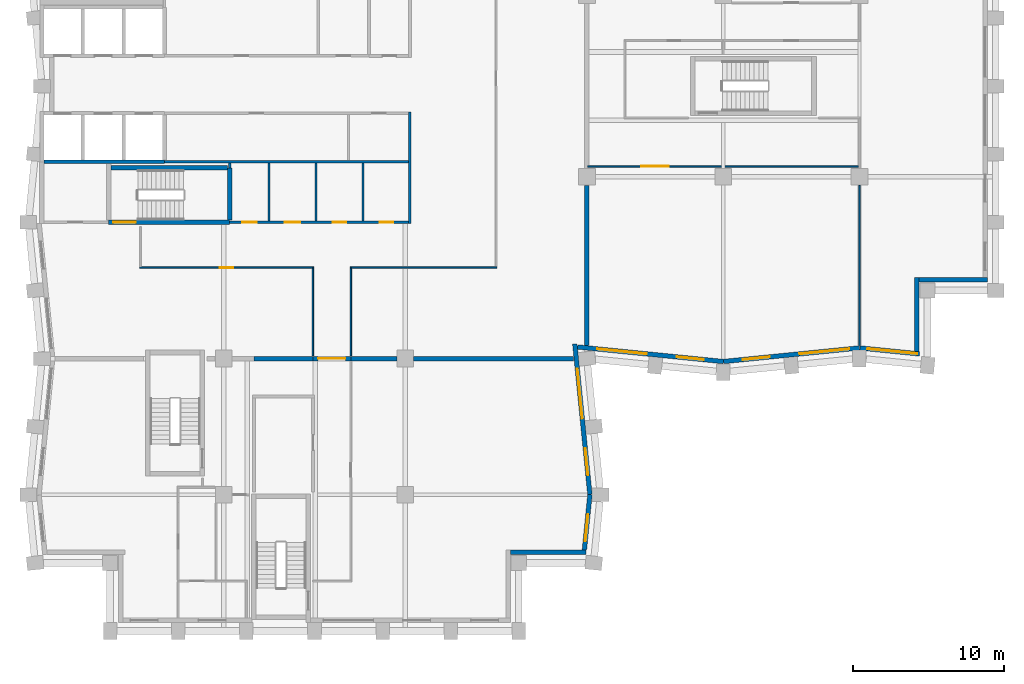
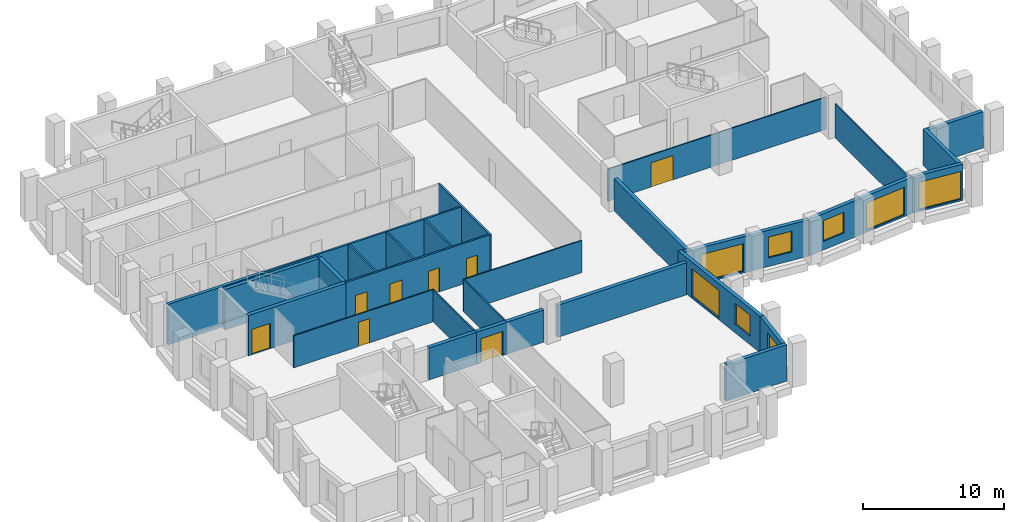
# One storey, part 4 of 10: 30 walls, 8 doors, 8 windows, 16 openings.
"""IFC4 building model written with IfcOpenShell, lengths in metres."""

from ifc_helpers import new_model, si_unit, direction, frame, frame_2d, origin, place, context, subcontext, project, spatial, rectangle, extrude, material, layer, layer_set, type_object, element, fill, save


model = new_model("IFC4")

# Units and contexts
model_context = context("Model", 3, precision=1e-05, world=origin(), true_north=direction((0.0, 1.0)))
body_context = subcontext(model_context, "Body", "Model", "MODEL_VIEW")
ifc_project = project(units=[si_unit("LENGTHUNIT", "METRE"), si_unit("AREAUNIT", "SQUARE_METRE"), si_unit("VOLUMEUNIT", "CUBIC_METRE"), si_unit("PLANEANGLEUNIT", "RADIAN"), si_unit("MASSUNIT", "GRAM", prefix="KILO")], contexts=[model_context])

# Site, building, storey
site_placement = place(None, origin())
site = spatial("IfcSite", under=ifc_project, at=site_placement, CompositionType="ELEMENT")
building_placement = place(site_placement, origin())
building = spatial("IfcBuilding", under=site, at=building_placement, Name="Brondeck Convention Tower", CompositionType="ELEMENT")
storey_placement = place(building_placement, frame((0.0, 0.0, 181.39990234375)))
storey = spatial("IfcBuildingStorey", under=building, at=storey_placement, Name="L44", CompositionType="ELEMENT", Elevation=181.39990234375)

# Wall
ifc_material_1 = material(Name="Concrete compartment wall C30/37", Category="concrete")
ifc_layer_1 = layer(ifc_material_1, 0.300048828125)
ifc_layer_set_1 = layer_set([ifc_layer_1], Name="Compartment wall 300")
wall_type_1 = type_object("IfcWallType", Name="Compartment wall 300", PredefinedType="PARTITIONING", material=ifc_layer_set_1)
wall_1_placement = place(storey_placement, frame((14.0, 27.0, 0.0), z_axis=(0.0, 0.0, 1.0), x_axis=(1.0, 0.0, 0.0)))
element("IfcWall", 1, at=wall_1_placement, inside=storey, type_object=wall_type_1, Name="FLR-L44-W020", PredefinedType="PARTITIONING", context=body_context, shape_type="SweptSolid", body=[
    extrude(rectangle(XDim=3.89990234375, YDim=0.300048828125, at=frame_2d((1.949951171875, 0.0))), origin(), (0.0, 0.0, 1.0), 2.780029296875),
])

# Wall, opening, door
wall_2_placement = place(storey_placement, frame((20.39990234375, 27.0, 0.0), z_axis=(0.0, 0.0, 1.0), x_axis=(-1.0, 0.0, 0.0)))
wall_2 = element("IfcWall", 2, at=wall_2_placement, inside=storey, type_object=wall_type_1, Name="FLR-L44-W021", PredefinedType="PARTITIONING", context=body_context, shape_type="SweptSolid", body=[
    extrude(rectangle(XDim=2.5, YDim=0.300048828125, at=frame_2d((1.25, 0.0))), origin(), (0.0, 0.0, 1.0), 2.780029296875),
])
opening_1_placement = place(wall_2_placement, frame((0.35009765625, 0.0, 0.0)))
opening_1 = element("IfcOpeningElement", 3, at=opening_1_placement, cuts=wall_2, Name="Opening OF-I-013", PredefinedType="OPENING", context=body_context, shape_type="SweptSolid", body=[
    extrude(rectangle(XDim=1.800048828125, YDim=2.10009765625, at=frame_2d((0.89990234375, 1.050048828125))), frame((0.0, 0.159912109375, 0.0), z_axis=(0.0, -1.0, 0.0), x_axis=(1.0, 0.0, 0.0)), (0.0, 0.0, 1.0), 0.320068359375),
])
ifc_material_2 = material(Name="Steel fire door pair", Category="steel")
door_type_1 = type_object("IfcDoorType", Name="Fire door pair 1800", OperationType="DOUBLE_DOOR_SINGLE_SWING", PredefinedType="DOOR", material=ifc_material_2)
door_1_placement = place(opening_1_placement, origin())
door_1 = element("IfcDoor", 4, at=door_1_placement, inside=storey, type_object=door_type_1, Name="Door OF-I-013", OperationType="DOUBLE_DOOR_SINGLE_SWING", OverallHeight=2.10009765625, OverallWidth=1.800048828125, PredefinedType="DOOR", context=body_context, shape_type="SweptSolid", body=[
    extrude(rectangle(XDim=1.800048828125, YDim=2.10009765625, at=frame_2d((0.89990234375, 1.050048828125))), frame((0.0, 0.02490234375, 0.0), z_axis=(0.0, -1.0, 0.0), x_axis=(1.0, 0.0, 0.0)), (0.0, 0.0, 1.0), 0.050048828125),
])
fill(opening_1, door_1)

# Walls
wall_3_placement = place(storey_placement, frame((20.39990234375, 27.0, 0.0), z_axis=(0.0, 0.0, 1.0), x_axis=(1.0, 0.0, 0.0)))
element("IfcWall", 5, at=wall_3_placement, inside=storey, type_object=wall_type_1, Name="FLR-L44-W022", PredefinedType="PARTITIONING", context=body_context, shape_type="SweptSolid", body=[
    extrude(rectangle(XDim=3.045166015625, YDim=0.300048828125, at=frame_2d((1.5224609375, 0.0))), origin(), (0.0, 0.0, 1.0), 2.780029296875),
])
for number, where, z_axis, x_axis, name in (
    (6, (24.554931640625, 27.0, 0.0), (0.0, 0.0, 1.0), (1.0, 0.0, 0.0), "FLR-L44-W023"),
    (7, (36.0, 27.874267578125, 0.0), (0.0, 0.0, 1.0), (0.0, 1.0, 0.0), "FLR-L44-W026"),
):
    element("IfcWall", number, at=place(storey_placement, frame(where, z_axis=z_axis, x_axis=x_axis)), inside=storey, type_object=wall_type_1, Name=name, PredefinedType="PARTITIONING", context=body_context, shape_type="SweptSolid", body=[
        extrude(rectangle(XDim=10.57080078125, YDim=0.300048828125, at=frame_2d((5.285400390625, 0.0))), origin(), (0.0, 0.0, 1.0), 2.780029296875),
    ])

# Wall, openings, doors
ifc_material_3 = material(Name="Concrete C70/85", Category="concrete")
ifc_layer_2 = layer(ifc_material_3, 0.14990234375)
ifc_layer_set_2 = layer_set([ifc_layer_2], Name="Core beam-seat wall 150 Concrete C70/85")
wall_type_2 = type_object("IfcWallType", Name="Core beam-seat wall 150 Concrete C70/85", PredefinedType="SHEAR", material=ifc_layer_set_2)
wall_4_placement = place(storey_placement, frame((12.39990234375, 36.0, 0.0), z_axis=(0.0, 0.0, 1.0), x_axis=(1.0, 0.0, 0.0)))
wall_4 = element("IfcWall", 8, at=wall_4_placement, inside=storey, type_object=wall_type_2, Name="L44 core wall", PredefinedType="SHEAR", context=body_context, shape_type="SweptSolid", body=[
    extrude(rectangle(XDim=11.8251953125, YDim=0.14990234375, at=frame_2d((5.91259765625, 0.0))), origin(), (0.0, 0.0, 1.0), 3.5),
])
opening_2_placement = place(wall_4_placement, frame((0.824951171875, 0.0, 0.0)))
opening_2 = element("IfcOpeningElement", 9, at=opening_2_placement, cuts=wall_4, Name="Opening C24-03", PredefinedType="OPENING", context=body_context, shape_type="SweptSolid", body=[
    extrude(rectangle(XDim=0.949951171875, YDim=2.10009765625, at=frame_2d((0.47509765625, 1.050048828125))), frame((0.0, 0.0849609375, 0.0), z_axis=(0.0, -1.0, 0.0), x_axis=(1.0, 0.0, 0.0)), (0.0, 0.0, 1.0), 0.169921875),
])
opening_3_placement = place(wall_4_placement, frame((3.64990234375, 0.0, 0.0)))
opening_3 = element("IfcOpeningElement", 10, at=opening_3_placement, cuts=wall_4, Name="Opening C24-04", PredefinedType="OPENING", context=body_context, shape_type="SweptSolid", body=[
    extrude(rectangle(XDim=1.0, YDim=2.10009765625, at=frame_2d((0.5, 1.050048828125))), frame((0.0, 0.0849609375, 0.0), z_axis=(0.0, -1.0, 0.0), x_axis=(1.0, 0.0, 0.0)), (0.0, 0.0, 1.0), 0.169921875),
])
opening_4_placement = place(wall_4_placement, frame((6.800048828125, 0.0, 0.0)))
opening_4 = element("IfcOpeningElement", 11, at=opening_4_placement, cuts=wall_4, Name="Opening C24-05", PredefinedType="OPENING", context=body_context, shape_type="SweptSolid", body=[
    extrude(rectangle(XDim=0.89990234375, YDim=2.10009765625, at=frame_2d((0.449951171875, 1.050048828125))), frame((0.0, 0.0849609375, 0.0), z_axis=(0.0, -1.0, 0.0), x_axis=(1.0, 0.0, 0.0)), (0.0, 0.0, 1.0), 0.169921875),
])
opening_5_placement = place(wall_4_placement, frame((9.89990234375, 0.0, 0.0)))
opening_5 = element("IfcOpeningElement", 12, at=opening_5_placement, cuts=wall_4, Name="Opening C24-06", PredefinedType="OPENING", context=body_context, shape_type="SweptSolid", body=[
    extrude(rectangle(XDim=0.89990234375, YDim=2.10009765625, at=frame_2d((0.449951171875, 1.050048828125))), frame((0.0, 0.0849609375, 0.0), z_axis=(0.0, -1.0, 0.0), x_axis=(1.0, 0.0, 0.0)), (0.0, 0.0, 1.0), 0.169921875),
])
ifc_material_4 = material(Name="Steel fire door", Category="steel")
door_type_2 = type_object("IfcDoorType", Name="Room door 1000x2100 EI 60", OperationType="NOTDEFINED", PredefinedType="DOOR", material=ifc_material_4)
door_2_placement = place(opening_3_placement, origin())
door_2 = element("IfcDoor", 13, at=door_2_placement, inside=storey, type_object=door_type_2, Name="L44 Room door FR-2", OperationType="SINGLE_SWING_LEFT", OverallHeight=2.10009765625, OverallWidth=1.0, PredefinedType="DOOR", context=body_context, shape_type="SweptSolid", body=[
    extrude(rectangle(XDim=1.0, YDim=2.10009765625, at=frame_2d((0.5, 1.050048828125))), frame((0.0, 0.02490234375, 0.0), z_axis=(0.0, -1.0, 0.0), x_axis=(1.0, 0.0, 0.0)), (0.0, 0.0, 1.0), 0.050048828125),
])
fill(opening_3, door_2)
door_type_3 = type_object("IfcDoorType", Name="Room door 900x2100 EI 60", OperationType="NOTDEFINED", PredefinedType="DOOR", material=ifc_material_4)
door_3_placement = place(opening_4_placement, origin())
door_3 = element("IfcDoor", 14, at=door_3_placement, inside=storey, type_object=door_type_3, Name="L44 Room door FR-3", OperationType="SINGLE_SWING_RIGHT", OverallHeight=2.10009765625, OverallWidth=0.89990234375, PredefinedType="DOOR", context=body_context, shape_type="SweptSolid", body=[
    extrude(rectangle(XDim=0.89990234375, YDim=2.10009765625, at=frame_2d((0.449951171875, 1.050048828125))), frame((0.0, 0.02490234375, 0.0), z_axis=(0.0, -1.0, 0.0), x_axis=(1.0, 0.0, 0.0)), (0.0, 0.0, 1.0), 0.050048828125),
])
fill(opening_4, door_3)
door_4_placement = place(opening_5_placement, origin())
door_4 = element("IfcDoor", 15, at=door_4_placement, inside=storey, type_object=door_type_3, Name="L44 Room door FR-4", OperationType="SINGLE_SWING_LEFT", OverallHeight=2.10009765625, OverallWidth=0.89990234375, PredefinedType="DOOR", context=body_context, shape_type="SweptSolid", body=[
    extrude(rectangle(XDim=0.89990234375, YDim=2.10009765625, at=frame_2d((0.449951171875, 1.050048828125))), frame((0.0, 0.02490234375, 0.0), z_axis=(0.0, -1.0, 0.0), x_axis=(1.0, 0.0, 0.0)), (0.0, 0.0, 1.0), 0.050048828125),
])
fill(opening_5, door_4)
door_type_4 = type_object("IfcDoorType", Name="Room door 950x2100 EI 60", OperationType="NOTDEFINED", PredefinedType="DOOR", material=ifc_material_4)
door_5_placement = place(opening_2_placement, origin())
door_5 = element("IfcDoor", 16, at=door_5_placement, inside=storey, type_object=door_type_4, Name="L44 Room door FR-1", OperationType="SINGLE_SWING_RIGHT", OverallHeight=2.10009765625, OverallWidth=0.949951171875, PredefinedType="DOOR", context=body_context, shape_type="SweptSolid", body=[
    extrude(rectangle(XDim=0.949951171875, YDim=2.10009765625, at=frame_2d((0.47509765625, 1.050048828125))), frame((0.0, 0.02490234375, 0.0), z_axis=(0.0, -1.0, 0.0), x_axis=(1.0, 0.0, 0.0)), (0.0, 0.0, 1.0), 0.050048828125),
])
fill(opening_2, door_5)

# Walls
ifc_material_5 = material(Name="Fire-rated gypsum board partition")
ifc_layer_3 = layer(ifc_material_5, 0.14990234375)
ifc_layer_set_3 = layer_set([ifc_layer_3], Name="Core partition 150 EI 60")
wall_type_3 = type_object("IfcWallType", Name="Core partition 150 EI 60", PredefinedType="PARTITIONING", material=ifc_layer_set_3)
wall_5_placement = place(storey_placement, frame((8.10009765625, 40.0, 0.0), z_axis=(0.0, 0.0, 1.0), x_axis=(1.0, 0.0, 0.0)))
element("IfcWall", 17, at=wall_5_placement, inside=storey, type_object=wall_type_3, Name="L44 core wall", PredefinedType="PARTITIONING", context=body_context, shape_type="SweptSolid", body=[
    extrude(rectangle(XDim=16.125, YDim=0.14990234375, at=frame_2d((8.0625, 0.0))), origin(), (0.0, 0.0, 1.0), 3.5),
])
wall_6_placement = place(storey_placement, frame((12.39990234375, 39.60009765625, 0.0), z_axis=(0.0, 0.0, 1.0), x_axis=(0.0, 1.0, 0.0)))
element("IfcWall", 18, at=wall_6_placement, inside=storey, type_object=wall_type_3, Name="L44 core wall", PredefinedType="PARTITIONING", context=body_context, shape_type="SweptSolid", body=[
    extrude(rectangle(XDim=0.324951171875, YDim=0.14990234375, at=frame_2d((0.16259765625, 0.0))), origin(), (0.0, 0.0, 1.0), 3.5),
])
for number, where, z_axis, x_axis, name in (
    (19, (15.0, 36.074951171875, 0.0), (0.0, 0.0, 1.0), (0.0, 1.0, 0.0), "L44 core wall"),
    (20, (18.10009765625, 36.074951171875, 0.0), (0.0, 0.0, 1.0), (0.0, 1.0, 0.0), "L44 core wall"),
    (21, (21.199951171875, 36.074951171875, 0.0), (0.0, 0.0, 1.0), (0.0, 1.0, 0.0), "L44 core wall"),
):
    element("IfcWall", number, at=place(storey_placement, frame(where, z_axis=z_axis, x_axis=x_axis)), inside=storey, type_object=wall_type_3, Name=name, PredefinedType="PARTITIONING", context=body_context, shape_type="SweptSolid", body=[
        extrude(rectangle(XDim=3.85009765625, YDim=0.14990234375, at=frame_2d((1.925048828125, 0.0))), origin(), (0.0, 0.0, 1.0), 3.5),
    ])
wall_7_placement = place(storey_placement, frame((24.300048828125, 35.925048828125, 0.0), z_axis=(0.0, 0.0, 1.0), x_axis=(0.0, 1.0, 0.0)))
element("IfcWall", 22, at=wall_7_placement, inside=storey, type_object=wall_type_3, Name="L44 core wall", PredefinedType="PARTITIONING", context=body_context, shape_type="SweptSolid", body=[
    extrude(rectangle(XDim=7.349853515625, YDim=0.14990234375, at=frame_2d((3.6748046875, 0.0))), origin(), (0.0, 0.0, 1.0), 3.5),
])
ifc_material_6 = material(Name="Precast concrete C50/60 bronze finish", Category="concrete")
ifc_layer_4 = layer(ifc_material_6, 0.070068359375, Name="Bronze precast facing")
ifc_material_7 = material(Name="Mineral wool")
ifc_layer_5 = layer(ifc_material_7, 0.159912109375, Name="Insulation")
ifc_material_8 = material(Name="Concrete C35/45", Category="concrete")
ifc_layer_6 = layer(ifc_material_8, 0.070068359375, Name="Backing")
ifc_layer_set_4 = layer_set([ifc_layer_4, ifc_layer_5, ifc_layer_6], Name="External infill wall, precast concrete C50/60 bronze facing")
wall_type_4 = type_object("IfcWallType", Name="External infill wall, precast concrete C50/60 bronze facing", PredefinedType="SOLIDWALL", material=ifc_layer_set_4)
wall_8_placement = place(storey_placement, frame((35.952392578125, 14.199951171875, 0.0), z_axis=(0.0, 0.0, 1.0), x_axis=(-1.0, 0.0, 0.0)))
element("IfcWall", 23, at=wall_8_placement, inside=storey, type_object=wall_type_4, Name="ENV-EW-L44-P1-NC-SEB9-02", PredefinedType="SOLIDWALL", context=body_context, shape_type="SweptSolid", body=[
    extrude(rectangle(XDim=5.00244140625, YDim=0.300048828125, at=frame_2d((2.501220703125, 0.0))), origin(), (0.0, 0.0, 1.0), 3.150146484375),
])

# Wall, opening, window
wall_9_placement = place(storey_placement, frame((36.197998046875, 18.014892578125, 0.0), z_axis=(0.0, 0.0, 1.0), x_axis=(-0.099529980022, -0.99503456376, 0.0)))
wall_9 = element("IfcWall", 24, at=wall_9_placement, inside=storey, type_object=wall_type_4, Name="ENV-EW-L44-P1-B-E-02", PredefinedType="SOLIDWALL", context=body_context, shape_type="SweptSolid", body=[
    extrude(rectangle(XDim=3.681884765625, YDim=0.300048828125, at=frame_2d((1.8408203125, 0.0))), origin(), (0.0, 0.0, 1.0), 3.150146484375),
])
opening_6_placement = place(wall_9_placement, frame((1.30615234375, 0.0, 0.75)))
opening_6 = element("IfcOpeningElement", 25, at=opening_6_placement, cuts=wall_9, Name="Opening W10", PredefinedType="OPENING", context=body_context, shape_type="SweptSolid", body=[
    extrude(rectangle(XDim=1.800048828125, YDim=1.800048828125, at=frame_2d((0.89990234375, 0.89990234375))), frame((0.0, 0.159912109375, 0.0), z_axis=(0.0, -1.0, 0.0), x_axis=(1.0, 0.0, 0.0)), (0.0, 0.0, 1.0), 0.320068359375),
])
ifc_material_9 = material(Name="Bronze tinted double glazing", Category="glass")
window_type_1 = type_object("IfcWindowType", Name="Punched window, bronze tinted", PartitioningType="SINGLE_PANEL", PredefinedType="WINDOW", material=ifc_material_9)
window_1_placement = place(opening_6_placement, origin())
window_1 = element("IfcWindow", 26, at=window_1_placement, inside=storey, type_object=window_type_1, Name="ENV-WN-L44-P1-B-E-02", OverallHeight=1.800048828125, OverallWidth=1.800048828125, PartitioningType="SINGLE_PANEL", PredefinedType="WINDOW", context=body_context, shape_type="SweptSolid", body=[
    extrude(rectangle(XDim=1.800048828125, YDim=1.800048828125, at=frame_2d((0.89990234375, 0.89990234375))), frame((0.0, 0.030029296875, 0.0), z_axis=(0.0, -1.0, 0.0), x_axis=(1.0, 0.0, 0.0)), (0.0, 0.0, 1.0), 0.06005859375),
])
fill(opening_6, window_1)

# Wall, openings, windows
wall_10_placement = place(storey_placement, frame((35.2001953125, 27.964111328125, 0.0), z_axis=(0.0, 0.0, 1.0), x_axis=(0.099501297882, -0.995037432321, 0.0)))
wall_10 = element("IfcWall", 27, at=wall_10_placement, inside=storey, type_object=wall_type_4, Name="ENV-EW-L44-P1-B-E-01", PredefinedType="SOLIDWALL", context=body_context, shape_type="SweptSolid", body=[
    extrude(rectangle(XDim=9.98388671875, YDim=0.300048828125, at=frame_2d((4.991943359375, 0.0))), origin(), (0.0, 0.0, 1.0), 3.150146484375),
])
opening_7_placement = place(wall_10_placement, frame((1.650146484375, 0.0, 0.14990234375)))
opening_7 = element("IfcOpeningElement", 28, at=opening_7_placement, cuts=wall_10, Name="Opening W9", PredefinedType="OPENING", context=body_context, shape_type="SweptSolid", body=[
    extrude(rectangle(XDim=3.300048828125, YDim=2.39990234375, at=frame_2d((1.64990234375, 1.199951171875))), frame((0.0, 0.159912109375, 0.0), z_axis=(0.0, -1.0, 0.0), x_axis=(1.0, 0.0, 0.0)), (0.0, 0.0, 1.0), 0.320068359375),
])
opening_8_placement = place(wall_10_placement, frame((6.922607421875, 0.0, 0.75)))
opening_8 = element("IfcOpeningElement", 29, at=opening_8_placement, cuts=wall_10, Name="Opening W10", PredefinedType="OPENING", context=body_context, shape_type="SweptSolid", body=[
    extrude(rectangle(XDim=1.800048828125, YDim=1.800048828125, at=frame_2d((0.89990234375, 0.89990234375))), frame((0.0, 0.159912109375, 0.0), z_axis=(0.0, -1.0, 0.0), x_axis=(1.0, 0.0, 0.0)), (0.0, 0.0, 1.0), 0.320068359375),
])
window_type_2 = type_object("IfcWindowType", Name="Glazed flute window, bronze tinted", PartitioningType="SINGLE_PANEL", PredefinedType="WINDOW", material=ifc_material_9)
window_2_placement = place(opening_7_placement, origin())
window_2 = element("IfcWindow", 30, at=window_2_placement, inside=storey, type_object=window_type_2, Name="ENV-WN-L44-P1-B-E-00", OverallHeight=2.39990234375, OverallWidth=3.300048828125, PartitioningType="SINGLE_PANEL", PredefinedType="WINDOW", context=body_context, shape_type="SweptSolid", body=[
    extrude(rectangle(XDim=3.300048828125, YDim=2.39990234375, at=frame_2d((1.64990234375, 1.199951171875))), frame((0.0, 0.030029296875, 0.0), z_axis=(0.0, -1.0, 0.0), x_axis=(1.0, 0.0, 0.0)), (0.0, 0.0, 1.0), 0.06005859375),
])
fill(opening_7, window_2)
window_3_placement = place(opening_8_placement, origin())
window_3 = element("IfcWindow", 31, at=window_3_placement, inside=storey, type_object=window_type_1, Name="ENV-WN-L44-P1-B-E-01", OverallHeight=1.800048828125, OverallWidth=1.800048828125, PartitioningType="SINGLE_PANEL", PredefinedType="WINDOW", context=body_context, shape_type="SweptSolid", body=[
    extrude(rectangle(XDim=1.800048828125, YDim=1.800048828125, at=frame_2d((0.89990234375, 0.89990234375))), frame((0.0, 0.030029296875, 0.0), z_axis=(0.0, -1.0, 0.0), x_axis=(1.0, 0.0, 0.0)), (0.0, 0.0, 1.0), 0.06005859375),
])
fill(opening_8, window_3)

wall_11_placement = place(storey_placement, frame((45.014892578125, 26.802001953125, 0.0), z_axis=(0.0, 0.0, 1.0), x_axis=(-0.995037689759, 0.099498723402, 0.0)))
wall_11 = element("IfcWall", 32, at=wall_11_placement, inside=storey, type_object=wall_type_4, Name="ENV-EW-L44-P1-A-S-00", PredefinedType="SOLIDWALL", context=body_context, shape_type="SweptSolid", body=[
    extrude(rectangle(XDim=9.677490234375, YDim=0.300048828125, at=frame_2d((4.8388671875, 0.0))), origin(), (0.0, 0.0, 1.0), 3.150146484375),
])
opening_9_placement = place(wall_11_placement, frame((1.30615234375, 0.0, 0.75)))
opening_9 = element("IfcOpeningElement", 33, at=opening_9_placement, cuts=wall_11, Name="Opening W10", PredefinedType="OPENING", context=body_context, shape_type="SweptSolid", body=[
    extrude(rectangle(XDim=1.800048828125, YDim=1.800048828125, at=frame_2d((0.89990234375, 0.89990234375))), frame((0.0, 0.159912109375, 0.0), z_axis=(0.0, -1.0, 0.0), x_axis=(1.0, 0.0, 0.0)), (0.0, 0.0, 1.0), 0.320068359375),
])
opening_10_placement = place(wall_11_placement, frame((5.07861328125, 0.0, 0.14990234375)))
opening_10 = element("IfcOpeningElement", 34, at=opening_10_placement, cuts=wall_11, Name="Opening W9", PredefinedType="OPENING", context=body_context, shape_type="SweptSolid", body=[
    extrude(rectangle(XDim=3.300048828125, YDim=2.39990234375, at=frame_2d((1.64990234375, 1.199951171875))), frame((0.0, 0.159912109375, 0.0), z_axis=(0.0, -1.0, 0.0), x_axis=(1.0, 0.0, 0.0)), (0.0, 0.0, 1.0), 0.320068359375),
])
window_4_placement = place(opening_10_placement, origin())
window_4 = element("IfcWindow", 35, at=window_4_placement, inside=storey, type_object=window_type_2, Name="ENV-WN-L44-P1-A-S-00", OverallHeight=2.39990234375, OverallWidth=3.300048828125, PartitioningType="SINGLE_PANEL", PredefinedType="WINDOW", context=body_context, shape_type="SweptSolid", body=[
    extrude(rectangle(XDim=3.300048828125, YDim=2.39990234375, at=frame_2d((1.64990234375, 1.199951171875))), frame((0.0, 0.030029296875, 0.0), z_axis=(0.0, -1.0, 0.0), x_axis=(1.0, 0.0, 0.0)), (0.0, 0.0, 1.0), 0.06005859375),
])
fill(opening_10, window_4)
window_5_placement = place(opening_9_placement, origin())
window_5 = element("IfcWindow", 36, at=window_5_placement, inside=storey, type_object=window_type_1, Name="ENV-WN-L44-P1-A-S-01", OverallHeight=1.800048828125, OverallWidth=1.800048828125, PartitioningType="SINGLE_PANEL", PredefinedType="WINDOW", context=body_context, shape_type="SweptSolid", body=[
    extrude(rectangle(XDim=1.800048828125, YDim=1.800048828125, at=frame_2d((0.89990234375, 0.89990234375))), frame((0.0, 0.030029296875, 0.0), z_axis=(0.0, -1.0, 0.0), x_axis=(1.0, 0.0, 0.0)), (0.0, 0.0, 1.0), 0.06005859375),
])
fill(opening_9, window_5)

wall_12_placement = place(storey_placement, frame((54.014892578125, 27.705078125, 0.0), z_axis=(0.0, 0.0, 1.0), x_axis=(-0.995035316196, -0.099522457379, 0.0)))
wall_12 = element("IfcWall", 37, at=wall_12_placement, inside=storey, type_object=wall_type_4, Name="ENV-EW-L44-P1-A-S-02", PredefinedType="SOLIDWALL", context=body_context, shape_type="SweptSolid", body=[
    extrude(rectangle(XDim=9.030029296875, YDim=0.300048828125, at=frame_2d((4.51513671875, 0.0))), origin(), (0.0, 0.0, 1.0), 3.150146484375),
])
opening_11_placement = place(wall_12_placement, frame((0.6962890625, 0.0, 0.14990234375)))
opening_11 = element("IfcOpeningElement", 38, at=opening_11_placement, cuts=wall_12, Name="Opening W9", PredefinedType="OPENING", context=body_context, shape_type="SweptSolid", body=[
    extrude(rectangle(XDim=3.300048828125, YDim=2.39990234375, at=frame_2d((1.64990234375, 1.199951171875))), frame((0.0, 0.159912109375, 0.0), z_axis=(0.0, -1.0, 0.0), x_axis=(1.0, 0.0, 0.0)), (0.0, 0.0, 1.0), 0.320068359375),
])
opening_12_placement = place(wall_12_placement, frame((5.968505859375, 0.0, 0.75)))
opening_12 = element("IfcOpeningElement", 39, at=opening_12_placement, cuts=wall_12, Name="Opening W10", PredefinedType="OPENING", context=body_context, shape_type="SweptSolid", body=[
    extrude(rectangle(XDim=1.800048828125, YDim=1.800048828125, at=frame_2d((0.89990234375, 0.89990234375))), frame((0.0, 0.159912109375, 0.0), z_axis=(0.0, -1.0, 0.0), x_axis=(1.0, 0.0, 0.0)), (0.0, 0.0, 1.0), 0.320068359375),
])
window_6_placement = place(opening_11_placement, origin())
window_6 = element("IfcWindow", 40, at=window_6_placement, inside=storey, type_object=window_type_2, Name="ENV-WN-L44-P1-A-S-03", OverallHeight=2.39990234375, OverallWidth=3.300048828125, PartitioningType="SINGLE_PANEL", PredefinedType="WINDOW", context=body_context, shape_type="SweptSolid", body=[
    extrude(rectangle(XDim=3.300048828125, YDim=2.39990234375, at=frame_2d((1.64990234375, 1.199951171875))), frame((0.0, 0.030029296875, 0.0), z_axis=(0.0, -1.0, 0.0), x_axis=(1.0, 0.0, 0.0)), (0.0, 0.0, 1.0), 0.06005859375),
])
fill(opening_11, window_6)
window_7_placement = place(opening_12_placement, origin())
window_7 = element("IfcWindow", 41, at=window_7_placement, inside=storey, type_object=window_type_1, Name="ENV-WN-L44-P1-A-S-02", OverallHeight=1.800048828125, OverallWidth=1.800048828125, PartitioningType="SINGLE_PANEL", PredefinedType="WINDOW", context=body_context, shape_type="SweptSolid", body=[
    extrude(rectangle(XDim=1.800048828125, YDim=1.800048828125, at=frame_2d((0.89990234375, 0.89990234375))), frame((0.0, 0.030029296875, 0.0), z_axis=(0.0, -1.0, 0.0), x_axis=(1.0, 0.0, 0.0)), (0.0, 0.0, 1.0), 0.06005859375),
])
fill(opening_12, window_7)

# Wall, opening, window
wall_13_placement = place(storey_placement, frame((57.96484375, 27.306884765625, 0.0), z_axis=(0.0, 0.0, 1.0), x_axis=(-0.99503596767, 0.099515943658, 0.0)))
wall_13 = element("IfcWall", 42, at=wall_13_placement, inside=storey, type_object=wall_type_4, Name="ENV-EW-L44-P1-A-S-04", PredefinedType="SOLIDWALL", context=body_context, shape_type="SweptSolid", body=[
    extrude(rectangle(XDim=3.95458984375, YDim=0.300048828125, at=frame_2d((1.977294921875, 0.0))), origin(), (0.0, 0.0, 1.0), 3.150146484375),
])
opening_13_placement = place(wall_13_placement, frame((0.14990234375, 0.0, 0.14990234375)))
opening_13 = element("IfcOpeningElement", 43, at=opening_13_placement, cuts=wall_13, Name="Opening W9", PredefinedType="OPENING", context=body_context, shape_type="SweptSolid", body=[
    extrude(rectangle(XDim=3.300048828125, YDim=2.39990234375, at=frame_2d((1.64990234375, 1.199951171875))), frame((0.0, 0.159912109375, 0.0), z_axis=(0.0, -1.0, 0.0), x_axis=(1.0, 0.0, 0.0)), (0.0, 0.0, 1.0), 0.320068359375),
])
window_8_placement = place(opening_13_placement, origin())
window_8 = element("IfcWindow", 44, at=window_8_placement, inside=storey, type_object=window_type_2, Name="ENV-WN-L44-P1-A-S-04", OverallHeight=2.39990234375, OverallWidth=3.300048828125, PartitioningType="SINGLE_PANEL", PredefinedType="WINDOW", context=body_context, shape_type="SweptSolid", body=[
    extrude(rectangle(XDim=3.300048828125, YDim=2.39990234375, at=frame_2d((1.64990234375, 1.199951171875))), frame((0.0, 0.030029296875, 0.0), z_axis=(0.0, -1.0, 0.0), x_axis=(1.0, 0.0, 0.0)), (0.0, 0.0, 1.0), 0.06005859375),
])
fill(opening_13, window_8)

# Walls
wall_14_placement = place(storey_placement, frame((57.800048828125, 32.35009765625, 0.0), z_axis=(0.0, 0.0, 1.0), x_axis=(0.0, -1.0, 0.0)))
element("IfcWall", 45, at=wall_14_placement, inside=storey, type_object=wall_type_4, Name="ENV-EW-L44-P1-NC-SEA63-01", PredefinedType="SOLIDWALL", context=body_context, shape_type="SweptSolid", body=[
    extrude(rectangle(XDim=4.87060546875, YDim=0.300048828125, at=frame_2d((2.435302734375, 0.0))), origin(), (0.0, 0.0, 1.0), 3.150146484375),
])
wall_15_placement = place(storey_placement, frame((62.449951171875, 32.199951171875, 0.0), z_axis=(0.0, 0.0, 1.0), x_axis=(-1.0, 0.0, 0.0)))
element("IfcWall", 46, at=wall_15_placement, inside=storey, type_object=wall_type_4, Name="ENV-EW-L44-P1-NC-SEA63-02", PredefinedType="SOLIDWALL", context=body_context, shape_type="SweptSolid", body=[
    extrude(rectangle(XDim=4.501953125, YDim=0.300048828125, at=frame_2d((2.2509765625, 0.0))), origin(), (0.0, 0.0, 1.0), 3.150146484375),
])
ifc_layer_7 = layer(ifc_material_3, 0.25)
ifc_layer_set_5 = layer_set([ifc_layer_7], Name="Lift shaft wall 250 Concrete C70/85")
wall_type_5 = type_object("IfcWallType", Name="Lift shaft wall 250 Concrete C70/85", PredefinedType="SHEAR", material=ifc_layer_set_5)
wall_16_placement = place(storey_placement, frame((0.14990234375, 40.0, 0.0), z_axis=(0.0, 0.0, 1.0), x_axis=(1.0, 0.0, 0.0)))
element("IfcWall", 47, at=wall_16_placement, inside=storey, type_object=wall_type_5, Name="L44 core wall", PredefinedType="SHEAR", context=body_context, shape_type="SweptSolid", body=[
    extrude(rectangle(XDim=7.9501953125, YDim=0.25, at=frame_2d((3.97509765625, 0.0))), origin(), (0.0, 0.0, 1.0), 3.5),
])
ifc_material_10 = material(Name="Gypsum board partition on steel studs", Category="steel")
ifc_layer_8 = layer(ifc_material_10, 0.10009765625)
ifc_layer_set_6 = layer_set([ifc_layer_8], Name="Room partition 100")
wall_type_6 = type_object("IfcWallType", Name="Room partition 100", PredefinedType="PARTITIONING", material=ifc_layer_set_6)
wall_17_placement = place(storey_placement, frame((17.89990234375, 27.169921875, 0.0), z_axis=(0.0, 0.0, 1.0), x_axis=(0.0, 1.0, 0.0)))
element("IfcWall", 48, at=wall_17_placement, inside=storey, type_object=wall_type_6, Name="FLR-L44-W024", PredefinedType="PARTITIONING", context=body_context, shape_type="SweptSolid", body=[
    extrude(rectangle(XDim=5.780029296875, YDim=0.10009765625, at=frame_2d((2.89013671875, 0.0))), origin(), (0.0, 0.0, 1.0), 2.780029296875),
])
wall_18_placement = place(storey_placement, frame((54.0, 27.874267578125, 0.0), z_axis=(0.0, 0.0, 1.0), x_axis=(0.0, 1.0, 0.0)))
element("IfcWall", 49, at=wall_18_placement, inside=storey, type_object=wall_type_6, Name="FLR-L44-W025", PredefinedType="PARTITIONING", context=body_context, shape_type="SweptSolid", body=[
    extrude(rectangle(XDim=10.57080078125, YDim=0.10009765625, at=frame_2d((5.285400390625, 0.0))), origin(), (0.0, 0.0, 1.0), 2.93017578125),
])
wall_19_placement = place(storey_placement, frame((20.39990234375, 32.949951171875, 0.0), z_axis=(0.0, 0.0, 1.0), x_axis=(0.0, -1.0, 0.0)))
element("IfcWall", 50, at=wall_19_placement, inside=storey, type_object=wall_type_6, Name="FLR-L44-W027", PredefinedType="PARTITIONING", context=body_context, shape_type="SweptSolid", body=[
    extrude(rectangle(XDim=5.780029296875, YDim=0.10009765625, at=frame_2d((2.89013671875, 0.0))), origin(), (0.0, 0.0, 1.0), 2.780029296875),
])

# Wall, opening, door
wall_20_placement = place(storey_placement, frame((17.949951171875, 33.0, 0.0), z_axis=(0.0, 0.0, 1.0), x_axis=(-1.0, 0.0, 0.0)))
wall_20 = element("IfcWall", 51, at=wall_20_placement, inside=storey, type_object=wall_type_6, Name="FLR-L44-W028", PredefinedType="PARTITIONING", context=body_context, shape_type="SweptSolid", body=[
    extrude(rectangle(XDim=11.5, YDim=0.10009765625, at=frame_2d((5.75, 0.0))), origin(), (0.0, 0.0, 1.0), 2.780029296875),
])
opening_14_placement = place(wall_20_placement, frame((5.300048828125, 0.0, 0.0)))
opening_14 = element("IfcOpeningElement", 52, at=opening_14_placement, cuts=wall_20, Name="Opening OF-I-011", PredefinedType="OPENING", context=body_context, shape_type="SweptSolid", body=[
    extrude(rectangle(XDim=0.89990234375, YDim=2.10009765625, at=frame_2d((0.449951171875, 1.050048828125))), frame((0.0, 0.06005859375, 0.0), z_axis=(0.0, -1.0, 0.0), x_axis=(1.0, 0.0, 0.0)), (0.0, 0.0, 1.0), 0.1201171875),
])
ifc_material_11 = material(Name="Solid timber door leaf", Category="wood")
door_type_5 = type_object("IfcDoorType", Name="Single door 900", OperationType="NOTDEFINED", PredefinedType="DOOR", material=ifc_material_11)
door_6_placement = place(opening_14_placement, origin())
door_6 = element("IfcDoor", 53, at=door_6_placement, inside=storey, type_object=door_type_5, Name="Door OF-I-011", OperationType="SINGLE_SWING_RIGHT", OverallHeight=2.10009765625, OverallWidth=0.89990234375, PredefinedType="DOOR", context=body_context, shape_type="SweptSolid", body=[
    extrude(rectangle(XDim=0.89990234375, YDim=2.10009765625, at=frame_2d((0.449951171875, 1.050048828125))), frame((0.0, 0.02490234375, 0.0), z_axis=(0.0, -1.0, 0.0), x_axis=(1.0, 0.0, 0.0)), (0.0, 0.0, 1.0), 0.050048828125),
])
fill(opening_14, door_6)

# Wall
wall_21_placement = place(storey_placement, frame((30.050048828125, 33.0, 0.0), z_axis=(0.0, 0.0, 1.0), x_axis=(-1.0, 0.0, 0.0)))
element("IfcWall", 54, at=wall_21_placement, inside=storey, type_object=wall_type_6, Name="FLR-L44-W029", PredefinedType="PARTITIONING", context=body_context, shape_type="SweptSolid", body=[
    extrude(rectangle(XDim=9.699951171875, YDim=0.10009765625, at=frame_2d((4.85009765625, 0.0))), origin(), (0.0, 0.0, 1.0), 2.780029296875),
])

# Wall, opening, door
wall_22_placement = place(storey_placement, frame((53.949951171875, 39.699951171875, 0.0), z_axis=(0.0, 0.0, 1.0), x_axis=(-1.0, 0.0, 0.0)))
wall_22 = element("IfcWall", 55, at=wall_22_placement, inside=storey, type_object=wall_type_6, Name="FLR-L44-W031", PredefinedType="PARTITIONING", context=body_context, shape_type="SweptSolid", body=[
    extrude(rectangle(XDim=17.89990234375, YDim=0.10009765625, at=frame_2d((8.949951171875, 0.0))), origin(), (0.0, 0.0, 1.0), 2.780029296875),
])
opening_15_placement = place(wall_22_placement, frame((12.550048828125, 0.0, 0.0)))
opening_15 = element("IfcOpeningElement", 56, at=opening_15_placement, cuts=wall_22, Name="Opening OF-I-006", PredefinedType="OPENING", context=body_context, shape_type="SweptSolid", body=[
    extrude(rectangle(XDim=1.800048828125, YDim=2.10009765625, at=frame_2d((0.89990234375, 1.050048828125))), frame((0.0, 0.06005859375, 0.0), z_axis=(0.0, -1.0, 0.0), x_axis=(1.0, 0.0, 0.0)), (0.0, 0.0, 1.0), 0.1201171875),
])
ifc_material_12 = material(Name="Glazed timber double door", Category="wood")
door_type_6 = type_object("IfcDoorType", Name="Double door 1800", OperationType="DOUBLE_DOOR_SINGLE_SWING", PredefinedType="DOOR", material=ifc_material_12)
door_7_placement = place(opening_15_placement, origin())
door_7 = element("IfcDoor", 57, at=door_7_placement, inside=storey, type_object=door_type_6, Name="Door OF-I-006", OperationType="DOUBLE_DOOR_SINGLE_SWING", OverallHeight=2.10009765625, OverallWidth=1.800048828125, PredefinedType="DOOR", context=body_context, shape_type="SweptSolid", body=[
    extrude(rectangle(XDim=1.800048828125, YDim=2.10009765625, at=frame_2d((0.89990234375, 1.050048828125))), frame((0.0, 0.02490234375, 0.0), z_axis=(0.0, -1.0, 0.0), x_axis=(1.0, 0.0, 0.0)), (0.0, 0.0, 1.0), 0.050048828125),
])
fill(opening_15, door_7)

ifc_layer_9 = layer(ifc_material_3, 0.300048828125)
ifc_layer_set_7 = layer_set([ifc_layer_9], Name="Stair enclosure wall 300 Concrete C70/85")
wall_type_7 = type_object("IfcWallType", Name="Stair enclosure wall 300 Concrete C70/85", PredefinedType="SHEAR", material=ifc_layer_set_7)
wall_23_placement = place(storey_placement, frame((4.39990234375, 36.0, 0.0), z_axis=(0.0, 0.0, 1.0), x_axis=(1.0, 0.0, 0.0)))
wall_23 = element("IfcWall", 58, at=wall_23_placement, inside=storey, type_object=wall_type_7, Name="L44 core wall", PredefinedType="SHEAR", context=body_context, shape_type="SweptSolid", body=[
    extrude(rectangle(XDim=8.0, YDim=0.300048828125, at=frame_2d((4.0, 0.0))), origin(), (0.0, 0.0, 1.0), 3.5),
])
opening_16_placement = place(wall_23_placement, frame((0.300048828125, 0.0, 0.0)))
opening_16 = element("IfcOpeningElement", 59, at=opening_16_placement, cuts=wall_23, Name="Opening C24-13", PredefinedType="OPENING", context=body_context, shape_type="SweptSolid", body=[
    extrude(rectangle(XDim=1.5, YDim=2.199951171875, at=frame_2d((0.75, 1.10009765625))), frame((0.0, 0.159912109375, 0.0), z_axis=(0.0, -1.0, 0.0), x_axis=(1.0, 0.0, 0.0)), (0.0, 0.0, 1.0), 0.320068359375),
])
door_type_7 = type_object("IfcDoorType", Name="Stair door 1500x2200 EI 90", OperationType="NOTDEFINED", PredefinedType="DOOR", material=ifc_material_4)
door_8_placement = place(opening_16_placement, origin())
door_8 = element("IfcDoor", 60, at=door_8_placement, inside=storey, type_object=door_type_7, Name="L44 Stair door ST-1", OperationType="SINGLE_SWING_RIGHT", OverallHeight=2.199951171875, OverallWidth=1.5, PredefinedType="DOOR", context=body_context, shape_type="SweptSolid", body=[
    extrude(rectangle(XDim=1.5, YDim=2.199951171875, at=frame_2d((0.75, 1.10009765625))), frame((0.0, 0.02490234375, 0.0), z_axis=(0.0, -1.0, 0.0), x_axis=(1.0, 0.0, 0.0)), (0.0, 0.0, 1.0), 0.050048828125),
])
fill(opening_16, door_8)

# Walls
wall_24_placement = place(storey_placement, frame((4.550048828125, 39.60009765625, 0.0), z_axis=(0.0, 0.0, 1.0), x_axis=(1.0, 0.0, 0.0)))
element("IfcWall", 61, at=wall_24_placement, inside=storey, type_object=wall_type_7, Name="L44 core wall", PredefinedType="SHEAR", context=body_context, shape_type="SweptSolid", body=[
    extrude(rectangle(XDim=7.699951171875, YDim=0.300048828125, at=frame_2d((3.85009765625, 0.0))), origin(), (0.0, 0.0, 1.0), 3.5),
])
wall_25_placement = place(storey_placement, frame((12.39990234375, 36.14990234375, 0.0), z_axis=(0.0, 0.0, 1.0), x_axis=(0.0, 1.0, 0.0)))
element("IfcWall", 62, at=wall_25_placement, inside=storey, type_object=wall_type_7, Name="L44 core wall", PredefinedType="SHEAR", context=body_context, shape_type="SweptSolid", body=[
    extrude(rectangle(XDim=3.4501953125, YDim=0.300048828125, at=frame_2d((1.72509765625, 0.0))), origin(), (0.0, 0.0, 1.0), 3.5),
])

save(model, "model.ifc")
